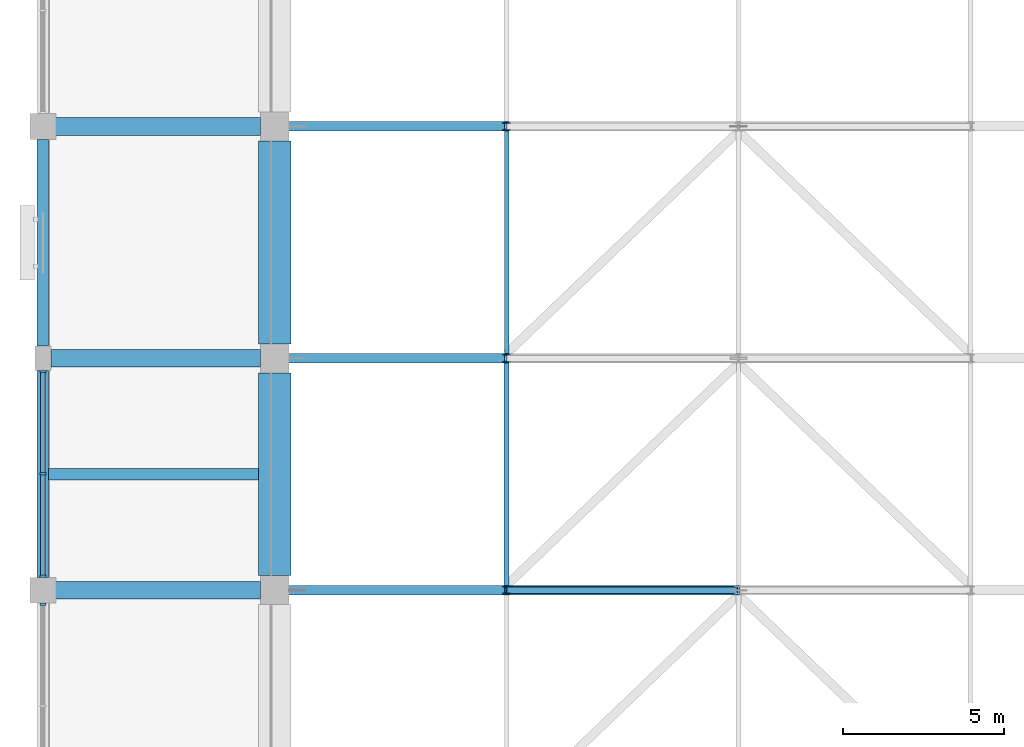
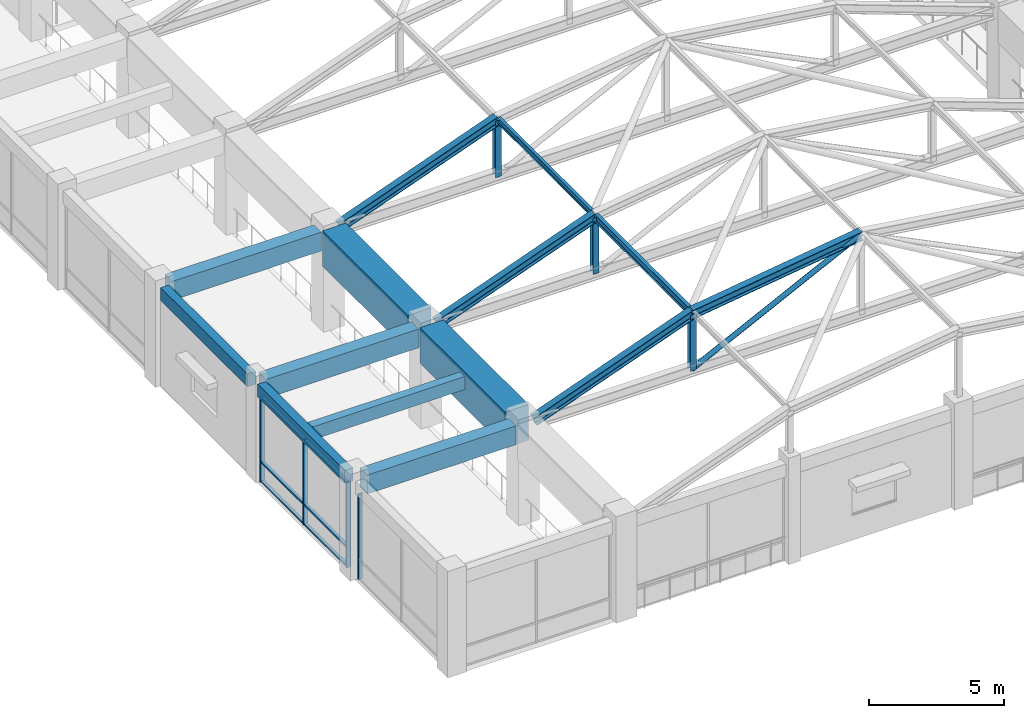
# One storey, part 17 of 75: 20 members, 8 beams, 2 elements without a shape of their own.
"""IFC4 building model written with IfcOpenShell, lengths in metres."""

import ifcopenshell
import ifcopenshell.guid

model = None  # the IFC model being written
_history = None  # IfcOwnerHistory: only IFC2X3 demands one
_inside = {}  # id of a spatial element -> (the spatial element, [elements in it])
_under = {}  # id of a project, library or spatial element -> (it, [spatial elements below it])
_declared = {}  # id of a project -> (the project, [libraries it declares])
_typed = {}  # id of a type object -> (the type object, [elements of that type])
_made_of = {}  # id of a material, layer set ... -> (it, [elements and type objects made of it])


def new_model(schema):
    """Start an empty IFC model of exactly this schema.

    Asked for "IFC4X3", IfcOpenShell would pick the latest addendum, in which some entities
    have other attributes; the version numbers below select the first issue.
    IFC2X3 requires an IfcOwnerHistory on every rooted entity: one is made here for all.
    """
    global model, _history
    if schema == "IFC4X3":
        model = ifcopenshell.file(schema_version=(4, 3, 0, 0))
    else:
        model = ifcopenshell.file(schema=schema)
    _inside.clear()
    _under.clear()
    _declared.clear()
    _typed.clear()
    _made_of.clear()
    _history = None
    if model.schema == "IFC2X3":
        org = make("IfcOrganization", Name="unknown")
        user = make(
            "IfcPersonAndOrganization",
            ThePerson=make("IfcPerson", FamilyName="unknown"),
            TheOrganization=org,
        )
        app = make(
            "IfcApplication",
            ApplicationDeveloper=org,
            Version="unknown",
            ApplicationFullName="unknown",
            ApplicationIdentifier="unknown",
        )
        _history = make(
            "IfcOwnerHistory",
            OwningUser=user,
            OwningApplication=app,
            ChangeAction="ADDED",
            CreationDate=0,
        )
    return model


def make(cls, **values):
    """One entity of the class cls with the attributes given. An attribute that is None is left unset."""
    return model.create_entity(
        cls, **{name: value for name, value in values.items() if value is not None}
    )


def rooted(cls, **values):
    """An entity with a GlobalId (a new one), such as an element, a storey or a relation."""
    return make(cls, GlobalId=ifcopenshell.guid.new(), OwnerHistory=_history, **values)


def si_unit(unit_type, name, prefix=None):
    """IfcSIUnit, for example si_unit("LENGTHUNIT", "METRE", prefix="MILLI")."""
    return make("IfcSIUnit", UnitType=unit_type, Prefix=prefix, Name=name)


def assignment(units):
    """IfcUnitAssignment: the units of a project."""
    return None if units is None else make("IfcUnitAssignment", Units=units)


def point(xyz):
    """IfcCartesianPoint."""
    return None if xyz is None else make("IfcCartesianPoint", Coordinates=xyz)


def direction(xyz):
    """IfcDirection."""
    return None if xyz is None else make("IfcDirection", DirectionRatios=xyz)


def frame(location, z_axis=None, x_axis=None):
    """IfcAxis2Placement3D, a coordinate frame: its origin and axes. An axis left out is left unset."""
    return make(
        "IfcAxis2Placement3D",
        Location=point(location),
        Axis=direction(z_axis),
        RefDirection=direction(x_axis),
    )


def frame_2d(location, x_axis=None):
    """IfcAxis2Placement2D, a coordinate frame in the plane: its origin and x axis."""
    return make(
        "IfcAxis2Placement2D", Location=point(location), RefDirection=direction(x_axis)
    )


def origin():
    """The frame at (0, 0, 0) with its axes left unset."""
    return frame((0.0, 0.0, 0.0))


def origin_2d():
    """The frame at (0, 0) in the plane with its x axis left unset."""
    return frame_2d((0.0, 0.0))


def place(relative_to, where):
    """IfcLocalPlacement: puts the frame where relative to a parent placement (None: the world)."""
    return make(
        "IfcLocalPlacement", PlacementRelTo=relative_to, RelativePlacement=where
    )


def context(
    kind, dimensions, precision=None, world=None, true_north=None, identifier=None
):
    """IfcGeometricRepresentationContext, for example the 3D "Model" context."""
    return make(
        "IfcGeometricRepresentationContext",
        ContextIdentifier=identifier,
        ContextType=kind,
        CoordinateSpaceDimension=dimensions,
        Precision=precision,
        WorldCoordinateSystem=world,
        TrueNorth=true_north,
    )


def subcontext(parent, identifier, kind, view, scale=None):
    """IfcGeometricRepresentationSubContext, for example "Body" below "Model"."""
    return make(
        "IfcGeometricRepresentationSubContext",
        ContextIdentifier=identifier,
        ContextType=kind,
        ParentContext=parent,
        TargetScale=scale,
        TargetView=view,
    )


def project(units=None, contexts=None):
    """IfcProject with its units and contexts."""
    return rooted(
        "IfcProject",
        Name="project",
        RepresentationContexts=contexts,
        UnitsInContext=assignment(units),
    )


def spatial(cls, under=None, at=None, **own):
    """A site, building, storey or space (cls), placed at a placement, below another one or the project."""
    s = rooted(cls, ObjectPlacement=at, **own)
    if under is not None:
        _under.setdefault(under.id(), (under, []))[1].append(s)
    return s


def profile(cls, at=None, kind="AREA", **sizes):
    """A parametric profile (cls). Its sizes go by their IFC names, for example OverallWidth=200.0."""
    return make(cls, ProfileType=kind, Position=at, **sizes)


def rectangle(**sizes):
    """IfcRectangleProfileDef."""
    return profile("IfcRectangleProfileDef", **sizes)


def hollow_circle(**sizes):
    """IfcCircleHollowProfileDef."""
    return profile("IfcCircleHollowProfileDef", **sizes)


def i_section(**sizes):
    """IfcIShapeProfileDef."""
    return profile("IfcIShapeProfileDef", **sizes)


def extrude(swept, where, along, depth):
    """IfcExtrudedAreaSolid: the profile swept, set in the frame where, extruded along a direction by depth."""
    return make(
        "IfcExtrudedAreaSolid",
        SweptArea=swept,
        Position=where,
        ExtrudedDirection=direction(along),
        Depth=depth,
    )


def shape(context_of_items, identifier, shape_type, items):
    """IfcShapeRepresentation: the items that make up one representation, for example the "Body"."""
    return make(
        "IfcShapeRepresentation",
        ContextOfItems=context_of_items,
        RepresentationIdentifier=identifier,
        RepresentationType=shape_type,
        Items=items,
    )


def material(Name=None, Category=None):
    """IfcMaterial."""
    return make("IfcMaterial", Name=Name, Category=Category)


def layer(
    of_material, thickness, ventilated=None, Name=None, Category=None, Priority=None
):
    """IfcMaterialLayer: one layer of a wall or slab, of a material (None: an air gap)."""
    return make(
        "IfcMaterialLayer",
        Material=of_material,
        LayerThickness=thickness,
        IsVentilated=ventilated,
        Name=Name,
        Category=Category,
        Priority=Priority,
    )


def layer_set(layers, Name=None):
    """IfcMaterialLayerSet."""
    return make("IfcMaterialLayerSet", MaterialLayers=layers, LayerSetName=Name)


def material_profile(
    of_material, cross_section, Name=None, Category=None, Priority=None
):
    """IfcMaterialProfile: a cross section and its material."""
    return make(
        "IfcMaterialProfile",
        Name=Name,
        Material=of_material,
        Profile=cross_section,
        Priority=Priority,
        Category=Category,
    )


def profile_set(profiles, Name=None, composite=None):
    """IfcMaterialProfileSet."""
    return make(
        "IfcMaterialProfileSet",
        Name=Name,
        MaterialProfiles=profiles,
        CompositeProfile=composite,
    )


def made_of(thing, what):
    """Note that an element or type object is made of a material, layer set ...; save() writes the relation."""
    if what is not None:
        _made_of.setdefault(what.id(), (what, []))[1].append(thing)
    return thing


def type_object(cls, material=None, **own):
    """A type object (cls), such as IfcWallType, which elements share."""
    return made_of(rooted(cls, **own), material)


def element(
    cls,
    number,
    at=None,
    inside=None,
    cuts=None,
    type_object=None,
    material=None,
    context=None,
    identifier="Body",
    shape_type=None,
    held_by="IfcProductDefinitionShape",
    body=None,
    shapes=None,
    **own,
):
    """One element of the class cls, such as IfcWall. Its Tag is "e" and its number.

    at: its placement. inside: the storey or other place that contains it. cuts: it is an
    opening in that element (IfcRelVoidsElement). A single representation is given by context,
    identifier, shape_type and body (its items); several are given by shapes. held_by: the class
    of the entity that holds the representations. save() writes the other relations.
    """
    e = rooted(cls, Tag="e%d" % number, ObjectPlacement=at, **own)
    if body is not None:
        shapes = [shape(context, identifier, shape_type, body)]
    if shapes is not None:
        e.Representation = make(held_by, Representations=shapes)
    if inside is not None:
        _inside.setdefault(inside.id(), (inside, []))[1].append(e)
    if cuts is not None:
        rooted(
            "IfcRelVoidsElement", RelatingBuildingElement=cuts, RelatedOpeningElement=e
        )
    if type_object is not None:
        _typed.setdefault(type_object.id(), (type_object, []))[1].append(e)
    return made_of(e, material)


def aggregate(whole, parts):
    """IfcRelAggregates: a whole, such as a stair, and the parts it consists of."""
    return rooted("IfcRelAggregates", RelatingObject=whole, RelatedObjects=parts)


def save(model, path):
    """Write the relations noted so far, then the file.

    IfcRelAggregates (storeys below a building ...), IfcRelContainedInSpatialStructure (elements
    in a storey), IfcRelDefinesByType, IfcRelAssociatesMaterial and IfcRelDeclares: one each for
    every whole, place, type object, material and project.
    """
    for whole, parts in _under.values():
        aggregate(whole, parts)
    for where, things in _inside.values():
        rooted(
            "IfcRelContainedInSpatialStructure",
            RelatedElements=things,
            RelatingStructure=where,
        )
    for kind, things in _typed.values():
        rooted("IfcRelDefinesByType", RelatedObjects=things, RelatingType=kind)
    for what, things in _made_of.values():
        rooted("IfcRelAssociatesMaterial", RelatedObjects=things, RelatingMaterial=what)
    for by, libraries in _declared.values():
        rooted("IfcRelDeclares", RelatingContext=by, RelatedDefinitions=libraries)
    model.write(path)


model = new_model("IFC4")

# Units and contexts
model_context = context("Model", 3, precision=1e-05, world=origin(), true_north=direction((0.0, 1.0)))
body_context = subcontext(model_context, "Body", "Model", "MODEL_VIEW")
ifc_project = project(units=[si_unit("LENGTHUNIT", "METRE"), si_unit("AREAUNIT", "SQUARE_METRE"), si_unit("VOLUMEUNIT", "CUBIC_METRE"), si_unit("PLANEANGLEUNIT", "RADIAN"), si_unit("MASSUNIT", "GRAM", prefix="KILO")], contexts=[model_context])

# Site, building, storey
site_placement = place(None, origin())
site = spatial("IfcSite", under=ifc_project, at=site_placement, CompositionType="ELEMENT")
building_placement = place(site_placement, origin())
building = spatial("IfcBuilding", under=site, at=building_placement, Name="Cendaluz Park School", CompositionType="ELEMENT")
storey_placement = place(building_placement, frame((0.0, 0.0, 4.800048828125)))
storey = spatial("IfcBuildingStorey", under=building, at=storey_placement, Name="L01", CompositionType="ELEMENT", Elevation=4.800048828125)

# Beams
ifc_material_1 = material(Name="Concrete C40/50", Category="concrete")
ifc_material_profile_1 = material_profile(ifc_material_1, rectangle(XDim=0.550048828125, YDim=0.85009765625, at=origin_2d()), Name="RC 550x850", Category="concrete")
ifc_profile_set_1 = profile_set([ifc_material_profile_1], Name="Concrete C40/50")
beam_type_1 = type_object("IfcBeamType", Name="BM-RC01", PredefinedType="BEAM", material=ifc_profile_set_1)
beam_1_placement = place(storey_placement, frame((0.39990234375, 64.800048828125, 4.0048828125), z_axis=(1.0, 0.0, 0.0), x_axis=(0.0, 1.0, 0.0)))
element("IfcBeam", 1, at=beam_1_placement, inside=storey, type_object=beam_type_1, Name="BM-L01-BMRC01-0007", PredefinedType="BEAM", context=body_context, shape_type="SweptSolid", body=[
    extrude(rectangle(XDim=0.550048828125, YDim=0.85009765625, at=origin_2d()), origin(), (0.0, 0.0, 1.0), 6.35009765625),
])
beam_2_placement = place(storey_placement, frame((0.25, 72.0, 4.0048828125), z_axis=(1.0, 0.0, 0.0), x_axis=(0.0, 1.0, 0.0)))
element("IfcBeam", 2, at=beam_2_placement, inside=storey, type_object=beam_type_1, Name="BM-L01-BMRC01-0008", PredefinedType="BEAM", context=body_context, shape_type="SweptSolid", body=[
    extrude(rectangle(XDim=0.550048828125, YDim=0.85009765625, at=origin_2d()), origin(), (0.0, 0.0, 1.0), 6.5),
])
beam_3_placement = place(storey_placement, frame((0.39990234375, 79.199951171875, 4.0048828125), z_axis=(1.0, 0.0, 0.0), x_axis=(0.0, 1.0, 0.0)))
element("IfcBeam", 3, at=beam_3_placement, inside=storey, type_object=beam_type_1, Name="BM-L01-BMRC01-0009", PredefinedType="BEAM", context=body_context, shape_type="SweptSolid", body=[
    extrude(rectangle(XDim=0.550048828125, YDim=0.85009765625, at=origin_2d()), origin(), (0.0, 0.0, 1.0), 6.35009765625),
])
ifc_material_profile_2 = material_profile(ifc_material_1, rectangle(XDim=0.35009765625, YDim=0.580078125, at=origin_2d()), Name="RC 350x580", Category="concrete")
ifc_profile_set_2 = profile_set([ifc_material_profile_2], Name="Concrete C40/50")
beam_type_2 = type_object("IfcBeamType", Name="BM-RC04", PredefinedType="LINTEL", material=ifc_profile_set_2)
for number, where, z_axis, x_axis, name in (
    (4, (0.0, 65.199951171875, 4.139892578125), (0.0, 1.0, 0.0), (-1.0, 0.0, 0.0), "BM-L01-BMRC04-0230"),
    (5, (0.0, 72.375, 4.139892578125), (0.0, 1.0, 0.0), (-1.0, 0.0, 0.0), "BM-L01-BMRC04-0231"),
):
    element("IfcBeam", number, at=place(storey_placement, frame(where, z_axis=z_axis, x_axis=x_axis)), inside=storey, type_object=beam_type_2, Name=name, PredefinedType="LINTEL", context=body_context, shape_type="SweptSolid", body=[
        extrude(rectangle(XDim=0.35009765625, YDim=0.580078125, at=origin_2d()), origin(), (0.0, 0.0, 1.0), 6.425048828125),
    ])

# Curtain wall, member
ifc_material_2 = material(Name="Anodised Aluminium 6063-T6", Category="aluminium")
ifc_layer = layer(ifc_material_2, 0.179931640625)
ifc_layer_set = layer_set([ifc_layer], Name="Anodised Aluminium 6063-T6")
curtain_wall_type = type_object("IfcCurtainWallType", Name="CW-128x77", PredefinedType="NOTDEFINED", material=ifc_layer_set)
curtain_wall_1_placement = place(storey_placement, origin())
curtain_wall_1 = element("IfcCurtainWall", 6, at=curtain_wall_1_placement, inside=storey, type_object=curtain_wall_type, Name="CW-L01-006", PredefinedType="NOTDEFINED")
ifc_material_profile_3 = material_profile(ifc_material_2, rectangle(XDim=0.179931640625, YDim=0.070068359375, at=origin_2d()), Name="CWM 180x70", Category="aluminium")
ifc_profile_set_3 = profile_set([ifc_material_profile_3], Name="Anodised Aluminium 6063-T6")
member_type_1 = type_object("IfcMemberType", Name="CWM-01", PredefinedType="MULLION", material=ifc_profile_set_3)
member_1_placement = place(storey_placement, frame((0.0, 64.364990234375, 0.0), z_axis=(0.0, 0.0, 1.0), x_axis=(-1.0, 0.0, 0.0)))
member_1 = element("IfcMember", 7, at=member_1_placement, type_object=member_type_1, Name="CP-L01-0068", PredefinedType="MULLION", context=body_context, shape_type="SweptSolid", body=[
    extrude(rectangle(XDim=0.179931640625, YDim=0.070068359375, at=origin_2d()), origin(), (0.0, 0.0, 1.0), 3.849853515625),
])
aggregate(curtain_wall_1, [member_1])

# Curtain wall, members
curtain_wall_2_placement = place(storey_placement, origin())
curtain_wall_2 = element("IfcCurtainWall", 8, at=curtain_wall_2_placement, inside=storey, type_object=curtain_wall_type, Name="CW-L01-007", PredefinedType="NOTDEFINED")
member_2_placement = place(storey_placement, frame((0.0, 65.235107421875, 0.0), z_axis=(0.0, 0.0, 1.0), x_axis=(-1.0, 0.0, 0.0)))
member_2 = element("IfcMember", 9, at=member_2_placement, type_object=member_type_1, Name="CP-L01-0079", PredefinedType="MULLION", context=body_context, shape_type="SweptSolid", body=[
    extrude(rectangle(XDim=0.179931640625, YDim=0.070068359375, at=origin_2d()), origin(), (0.0, 0.0, 1.0), 3.849853515625),
])
member_3_placement = place(storey_placement, frame((0.0, 68.41259765625, 0.0), z_axis=(0.0, 0.0, 1.0), x_axis=(-1.0, 0.0, 0.0)))
member_3 = element("IfcMember", 10, at=member_3_placement, type_object=member_type_1, Name="CP-L01-0080", PredefinedType="MULLION", context=body_context, shape_type="SweptSolid", body=[
    extrude(rectangle(XDim=0.179931640625, YDim=0.070068359375, at=origin_2d()), origin(), (0.0, 0.0, 1.0), 3.849853515625),
])
member_4_placement = place(storey_placement, frame((0.0, 71.590087890625, 0.0), z_axis=(0.0, 0.0, 1.0), x_axis=(-1.0, 0.0, 0.0)))
member_4 = element("IfcMember", 11, at=member_4_placement, type_object=member_type_1, Name="CP-L01-0081", PredefinedType="MULLION", context=body_context, shape_type="SweptSolid", body=[
    extrude(rectangle(XDim=0.179931640625, YDim=0.070068359375, at=origin_2d()), origin(), (0.0, 0.0, 1.0), 3.849853515625),
])
ifc_material_profile_4 = material_profile(ifc_material_2, rectangle(XDim=0.139892578125, YDim=0.070068359375, at=origin_2d()), Name="CWT 140x70", Category="aluminium")
ifc_profile_set_4 = profile_set([ifc_material_profile_4], Name="Anodised Aluminium 6063-T6")
member_type_2 = type_object("IfcMemberType", Name="CWT-01", PredefinedType="USERDEFINED", material=ifc_profile_set_4)
member_5_placement = place(storey_placement, frame((0.0, 65.27001953125, 0.034912109375), z_axis=(0.0, 1.0, 0.0), x_axis=(-1.0, 0.0, 0.0)))
member_5 = element("IfcMember", 12, at=member_5_placement, type_object=member_type_2, Name="CP-L01-0082", ObjectType="TRANSOM", PredefinedType="USERDEFINED", context=body_context, shape_type="SweptSolid", body=[
    extrude(rectangle(XDim=0.139892578125, YDim=0.070068359375, at=origin_2d()), origin(), (0.0, 0.0, 1.0), 3.107421875),
])
member_6_placement = place(storey_placement, frame((0.0, 65.27001953125, 0.89990234375), z_axis=(0.0, 1.0, 0.0), x_axis=(-1.0, 0.0, 0.0)))
member_6 = element("IfcMember", 13, at=member_6_placement, type_object=member_type_2, Name="CP-L01-0083", ObjectType="TRANSOM", PredefinedType="USERDEFINED", context=body_context, shape_type="SweptSolid", body=[
    extrude(rectangle(XDim=0.139892578125, YDim=0.070068359375, at=origin_2d()), origin(), (0.0, 0.0, 1.0), 3.107421875),
])
member_7_placement = place(storey_placement, frame((0.0, 65.27001953125, 3.81494140625), z_axis=(0.0, 1.0, 0.0), x_axis=(-1.0, 0.0, 0.0)))
member_7 = element("IfcMember", 14, at=member_7_placement, type_object=member_type_2, Name="CP-L01-0084", ObjectType="TRANSOM", PredefinedType="USERDEFINED", context=body_context, shape_type="SweptSolid", body=[
    extrude(rectangle(XDim=0.139892578125, YDim=0.070068359375, at=origin_2d()), origin(), (0.0, 0.0, 1.0), 3.107421875),
])
member_8_placement = place(storey_placement, frame((0.0, 68.447509765625, 0.034912109375), z_axis=(0.0, 1.0, 0.0), x_axis=(-1.0, 0.0, 0.0)))
member_8 = element("IfcMember", 15, at=member_8_placement, type_object=member_type_2, Name="CP-L01-0087", ObjectType="TRANSOM", PredefinedType="USERDEFINED", context=body_context, shape_type="SweptSolid", body=[
    extrude(rectangle(XDim=0.139892578125, YDim=0.070068359375, at=origin_2d()), origin(), (0.0, 0.0, 1.0), 3.107421875),
])
member_9_placement = place(storey_placement, frame((0.0, 68.447509765625, 0.89990234375), z_axis=(0.0, 1.0, 0.0), x_axis=(-1.0, 0.0, 0.0)))
member_9 = element("IfcMember", 16, at=member_9_placement, type_object=member_type_2, Name="CP-L01-0088", ObjectType="TRANSOM", PredefinedType="USERDEFINED", context=body_context, shape_type="SweptSolid", body=[
    extrude(rectangle(XDim=0.139892578125, YDim=0.070068359375, at=origin_2d()), origin(), (0.0, 0.0, 1.0), 3.107421875),
])
member_10_placement = place(storey_placement, frame((0.0, 68.447509765625, 3.81494140625), z_axis=(0.0, 1.0, 0.0), x_axis=(-1.0, 0.0, 0.0)))
member_10 = element("IfcMember", 17, at=member_10_placement, type_object=member_type_2, Name="CP-L01-0089", ObjectType="TRANSOM", PredefinedType="USERDEFINED", context=body_context, shape_type="SweptSolid", body=[
    extrude(rectangle(XDim=0.139892578125, YDim=0.070068359375, at=origin_2d()), origin(), (0.0, 0.0, 1.0), 3.107421875),
])
aggregate(curtain_wall_2, [member_2, member_3, member_4, member_5, member_6, member_7, member_8, member_9, member_10])

# Beam
ifc_material_profile_5 = material_profile(ifc_material_1, rectangle(XDim=0.35009765625, YDim=0.580078125, at=origin_2d()), Name="RC 350x580", Category="concrete")
ifc_profile_set_5 = profile_set([ifc_material_profile_5], Name="Concrete C40/50")
beam_type_3 = type_object("IfcBeamType", Name="JT-RC01", PredefinedType="JOIST", material=ifc_profile_set_5)
beam_4_placement = place(storey_placement, frame((0.175048828125, 68.39990234375, 4.139892578125), z_axis=(1.0, 0.0, 0.0), x_axis=(0.0, 1.0, 0.0)))
element("IfcBeam", 18, at=beam_4_placement, inside=storey, type_object=beam_type_3, Name="BM-L01-JTRC01-0467", PredefinedType="JOIST", context=body_context, shape_type="SweptSolid", body=[
    extrude(rectangle(XDim=0.35009765625, YDim=0.580078125, at=origin_2d()), origin(), (0.0, 0.0, 1.0), 6.52490234375),
])

# Members
ifc_material_3 = material(Name="Steel S355", Category="steel")
ifc_material_profile_6 = material_profile(ifc_material_3, i_section(OverallWidth=0.300048828125, OverallDepth=0.39990234375, WebThickness=0.013916015625, FlangeThickness=0.02392578125, FilletRadius=0.027099609375, at=origin_2d()), Name="HEB 400", Category="steel")
ifc_profile_set_6 = profile_set([ifc_material_profile_6], Name="Steel S355")
member_type_3 = type_object("IfcMemberType", Name="MB-CH01", PredefinedType="CHORD", material=ifc_profile_set_6)
member_11_placement = place(storey_placement, frame((7.64990234375, 64.800048828125, 4.219970703125), z_axis=(0.939102267455, 0.0, 0.343637790793), x_axis=(0.0, 1.0, 0.0)))
element("IfcMember", 19, at=member_11_placement, inside=storey, type_object=member_type_3, Name="MB-L01-MBCH01-0008", PredefinedType="CHORD", context=body_context, shape_type="SweptSolid", body=[
    extrude(i_section(OverallWidth=0.300048828125, OverallDepth=0.39990234375, WebThickness=0.013916015625, FlangeThickness=0.02392578125, FilletRadius=0.027099609375, at=origin_2d()), origin(), (0.0, 0.0, 1.0), 7.187744140625),
])
member_12_placement = place(storey_placement, frame((14.39990234375, 64.800048828125, 6.68994140625), z_axis=(0.990113994111, 0.0, 0.140265030089), x_axis=(0.0, 1.0, 0.0)))
element("IfcMember", 20, at=member_12_placement, inside=storey, type_object=member_type_3, Name="MB-L01-MBCH01-0009", PredefinedType="CHORD", context=body_context, shape_type="SweptSolid", body=[
    extrude(i_section(OverallWidth=0.300048828125, OverallDepth=0.39990234375, WebThickness=0.013916015625, FlangeThickness=0.02392578125, FilletRadius=0.027099609375, at=origin_2d()), origin(), (0.0, 0.0, 1.0), 7.27197265625),
])
for number, where, z_axis, x_axis, name in (
    (21, (7.64990234375, 72.0, 4.219970703125), (0.939102267455, 0.0, 0.343637790793), (0.0, 1.0, 0.0), "MB-L01-MBCH01-0017"),
    (22, (7.64990234375, 79.199951171875, 4.219970703125), (0.939102267455, 0.0, 0.343637790793), (0.0, 1.0, 0.0), "MB-L01-MBCH01-0026"),
):
    element("IfcMember", number, at=place(storey_placement, frame(where, z_axis=z_axis, x_axis=x_axis)), inside=storey, type_object=member_type_3, Name=name, PredefinedType="CHORD", context=body_context, shape_type="SweptSolid", body=[
        extrude(i_section(OverallWidth=0.300048828125, OverallDepth=0.39990234375, WebThickness=0.013916015625, FlangeThickness=0.02392578125, FilletRadius=0.027099609375, at=origin_2d()), origin(), (0.0, 0.0, 1.0), 7.187744140625),
    ])
ifc_material_profile_7 = material_profile(ifc_material_3, i_section(OverallWidth=0.135009765625, OverallDepth=0.27001953125, WebThickness=0.007080078125, FlangeThickness=0.010009765625, FilletRadius=0.014892578125, at=origin_2d()), Name="IPE 270", Category="steel")
ifc_profile_set_7 = profile_set([ifc_material_profile_7], Name="Steel S355")
member_type_4 = type_object("IfcMemberType", Name="MB-PR01", PredefinedType="PURLIN", material=ifc_profile_set_7)
member_13_placement = place(storey_placement, frame((14.39990234375, 72.14990234375, 6.73486328125), z_axis=(0.0, 1.0, 0.0), x_axis=(-1.0, 0.0, 0.0)))
element("IfcMember", 23, at=member_13_placement, inside=storey, type_object=member_type_4, Name="MB-L01-MBPR01-0070", PredefinedType="PURLIN", context=body_context, shape_type="SweptSolid", body=[
    extrude(i_section(OverallWidth=0.135009765625, OverallDepth=0.27001953125, WebThickness=0.007080078125, FlangeThickness=0.010009765625, FilletRadius=0.014892578125, at=origin_2d()), origin(), (0.0, 0.0, 1.0), 6.900146484375),
])
ifc_material_profile_8 = material_profile(ifc_material_3, i_section(OverallWidth=0.159912109375, OverallDepth=0.330078125, WebThickness=0.008056640625, FlangeThickness=0.011962890625, FilletRadius=0.01806640625, at=origin_2d()), Name="IPE 330", Category="steel")
ifc_profile_set_8 = profile_set([ifc_material_profile_8], Name="Steel S355")
member_type_5 = type_object("IfcMemberType", Name="MB-PR02", PredefinedType="PURLIN", material=ifc_profile_set_8)
member_14_placement = place(storey_placement, frame((14.39990234375, 64.949951171875, 6.704833984375), z_axis=(0.0, 1.0, 0.0), x_axis=(-1.0, 0.0, 0.0)))
element("IfcMember", 24, at=member_14_placement, inside=storey, type_object=member_type_5, Name="MB-L01-MBPR02-0065", PredefinedType="PURLIN", context=body_context, shape_type="SweptSolid", body=[
    extrude(i_section(OverallWidth=0.159912109375, OverallDepth=0.330078125, WebThickness=0.008056640625, FlangeThickness=0.011962890625, FilletRadius=0.01806640625, at=origin_2d()), origin(), (0.0, 0.0, 1.0), 6.900146484375),
])
ifc_material_profile_9 = material_profile(ifc_material_3, hollow_circle(Radius=0.109619140625, WallThickness=0.010009765625, at=origin_2d()), Name="CHS 219x10", Category="steel")
ifc_profile_set_9 = profile_set([ifc_material_profile_9], Name="Steel S355")
member_type_6 = type_object("IfcMemberType", Name="MBR-02", PredefinedType="BRACE", material=ifc_profile_set_9)
member_15_placement = place(storey_placement, frame((14.39990234375, 64.800048828125, 4.14990234375), z_axis=(0.896412219401, 0.0, 0.443221313689), x_axis=(0.0, 1.0, 0.0)))
element("IfcMember", 25, at=member_15_placement, inside=storey, type_object=member_type_6, Name="MB-L01-MBBR02-0015", PredefinedType="BRACE", context=body_context, shape_type="SweptSolid", body=[
    extrude(hollow_circle(Radius=0.109619140625, WallThickness=0.010009765625, at=origin_2d()), origin(), (0.0, 0.0, 1.0), 8.0322265625),
])
ifc_material_profile_10 = material_profile(ifc_material_3, i_section(OverallWidth=0.239990234375, OverallDepth=0.22998046875, WebThickness=0.008056640625, FlangeThickness=0.011962890625, FilletRadius=0.02099609375, at=origin_2d()), Name="HEA 240", Category="steel")
ifc_profile_set_10 = profile_set([ifc_material_profile_10], Name="Steel S355")
member_type_7 = type_object("IfcMemberType", Name="MST-01", PredefinedType="STRUT", material=ifc_profile_set_10)
for number, where, z_axis, x_axis, name in (
    (26, (14.39990234375, 64.800048828125, 4.14990234375), (0.0, 0.0, 1.0), (1.0, 0.0, 0.0), "MB-L01-MBST01-0012"),
    (27, (14.39990234375, 72.0, 4.14990234375), (0.0, 0.0, 1.0), (1.0, 0.0, 0.0), "MB-L01-MBST01-0021"),
    (28, (14.39990234375, 79.199951171875, 4.14990234375), (0.0, 0.0, 1.0), (1.0, 0.0, 0.0), "MB-L01-MBST01-0030"),
):
    element("IfcMember", number, at=place(storey_placement, frame(where, z_axis=z_axis, x_axis=x_axis)), inside=storey, type_object=member_type_7, Name=name, PredefinedType="STRUT", context=body_context, shape_type="SweptSolid", body=[
        extrude(i_section(OverallWidth=0.239990234375, OverallDepth=0.22998046875, WebThickness=0.008056640625, FlangeThickness=0.011962890625, FilletRadius=0.02099609375, at=origin_2d()), origin(), (0.0, 0.0, 1.0), 2.5400390625),
    ])

# Beams
ifc_material_profile_11 = material_profile(ifc_material_1, rectangle(XDim=1.0, YDim=1.60009765625, at=origin_2d()), Name="RC 1000x1600", Category="concrete")
ifc_profile_set_11 = profile_set([ifc_material_profile_11], Name="Concrete C40/50")
beam_type_4 = type_object("IfcBeamType", Name="TG-RC01", PredefinedType="BEAM", material=ifc_profile_set_11)
for number, where, z_axis, x_axis, name in (
    (29, (7.199951171875, 65.25, 3.820068359375), (0.0, 1.0, 0.0), (-1.0, 0.0, 0.0), "Barrel Vault Collector Girder BM-L01-TGRC01-0242"),
    (30, (7.199951171875, 72.449951171875, 3.820068359375), (0.0, 1.0, 0.0), (-1.0, 0.0, 0.0), "Barrel Vault Collector Girder BM-L01-TGRC01-0243"),
):
    element("IfcBeam", number, at=place(storey_placement, frame(where, z_axis=z_axis, x_axis=x_axis)), inside=storey, type_object=beam_type_4, Name=name, PredefinedType="BEAM", context=body_context, shape_type="SweptSolid", body=[
        extrude(rectangle(XDim=1.0, YDim=1.60009765625, at=origin_2d()), origin(), (0.0, 0.0, 1.0), 6.300048828125),
    ])

save(model, "model.ifc")
